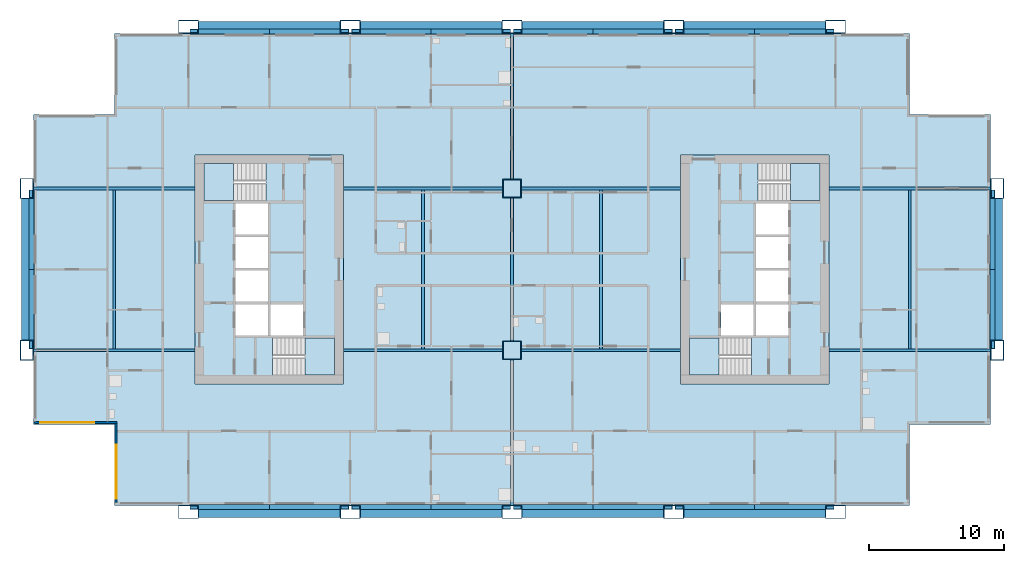
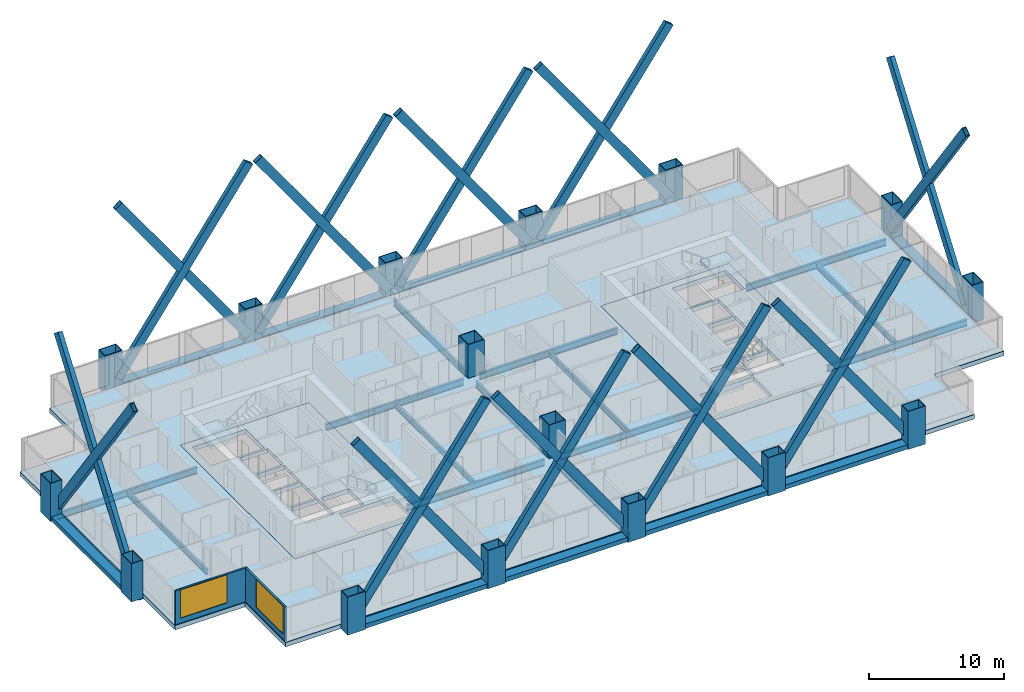
# One storey, part 1 of 11: 25 beams, 20 members, 16 columns, 7 slabs, 2 walls, 2 windows, 2 openings, 4 elements without a shape of their own.
"""IFC4 building model written with IfcOpenShell, lengths in metres."""

from ifc_helpers import new_model, si_unit, direction, frame, frame_2d, origin, origin_2d, place, context, subcontext, project, spatial, polyline, rectangle, hollow_rectangle, i_section, outline, extrude, material, layer, layer_set, material_profile, profile_set, type_object, element, fill, aggregate, save


model = new_model("IFC4")

# Units and contexts
model_context = context("Model", 3, precision=1e-05, world=origin(), true_north=direction((0.0, 1.0)))
body_context = subcontext(model_context, "Body", "Model", "MODEL_VIEW")
ifc_project = project(units=[si_unit("LENGTHUNIT", "METRE"), si_unit("AREAUNIT", "SQUARE_METRE"), si_unit("VOLUMEUNIT", "CUBIC_METRE"), si_unit("PLANEANGLEUNIT", "RADIAN"), si_unit("MASSUNIT", "GRAM", prefix="KILO")], contexts=[model_context])

# Site, building, storey
site_placement = place(None, origin())
site = spatial("IfcSite", under=ifc_project, at=site_placement, CompositionType="ELEMENT")
building_placement = place(site_placement, origin())
building = spatial("IfcBuilding", under=site, at=building_placement, Name="Kitamizu Gate Tower and Museum", CompositionType="ELEMENT")
storey_placement = place(building_placement, frame((0.0, 0.0, 96.60009765625)))
storey = spatial("IfcBuildingStorey", under=building, at=storey_placement, Name="L24", CompositionType="ELEMENT", Elevation=96.60009765625)

# Columns
ifc_material_1 = material(Name="Steel SM490A bronze coated", Category="steel")
ifc_material_profile_1 = material_profile(ifc_material_1, hollow_rectangle(XDim=1.5, YDim=1.0, WallThickness=0.06005859375, at=origin_2d()), Name="BOX 1500x1000x60")
ifc_profile_set_1 = profile_set([ifc_material_profile_1], Name="Steel SM490A bronze coated")
column_type_1 = type_object("IfcColumnType", Name="Exoskeleton column XC4 BOX 1500x1000x60", PredefinedType="COLUMN", material=ifc_profile_set_1)
for number, where, z_axis, x_axis, name in (
    (1, (0.0, 24.0, -0.400146484375), (0.0, 0.0, 1.0), (0.0, 1.0, 0.0), "Column XC4 1C L24"),
    (2, (0.0, 36.0, -0.400146484375), (0.0, 0.0, 1.0), (0.0, 1.0, 0.0), "Column XC4 1D L24"),
    (3, (12.0, 12.0, -0.400146484375), (0.0, 0.0, 1.0), (1.0, 0.0, 0.0), "Column XC4 2B L24"),
    (4, (12.0, 48.0, -0.400146484375), (0.0, 0.0, 1.0), (1.0, 0.0, 0.0), "Column XC4 2E L24"),
    (5, (24.0, 12.0, -0.400146484375), (0.0, 0.0, 1.0), (1.0, 0.0, 0.0), "Column XC4 3B L24"),
    (6, (24.0, 48.0, -0.400146484375), (0.0, 0.0, 1.0), (1.0, 0.0, 0.0), "Column XC4 3E L24"),
    (7, (36.0, 12.0, -0.400146484375), (0.0, 0.0, 1.0), (1.0, 0.0, 0.0), "Column XC4 4B L24"),
    (8, (36.0, 48.0, -0.400146484375), (0.0, 0.0, 1.0), (1.0, 0.0, 0.0), "Column XC4 4E L24"),
    (9, (48.0, 12.0, -0.400146484375), (0.0, 0.0, 1.0), (1.0, 0.0, 0.0), "Column XC4 5B L24"),
    (10, (48.0, 48.0, -0.400146484375), (0.0, 0.0, 1.0), (1.0, 0.0, 0.0), "Column XC4 5E L24"),
    (11, (60.0, 12.0, -0.400146484375), (0.0, 0.0, 1.0), (1.0, 0.0, 0.0), "Column XC4 6B L24"),
    (12, (60.0, 48.0, -0.400146484375), (0.0, 0.0, 1.0), (1.0, 0.0, 0.0), "Column XC4 6E L24"),
    (13, (72.0, 24.0, -0.400146484375), (0.0, 0.0, 1.0), (0.0, 1.0, 0.0), "Column XC4 7C L24"),
    (14, (72.0, 36.0, -0.400146484375), (0.0, 0.0, 1.0), (0.0, 1.0, 0.0), "Column XC4 7D L24"),
):
    element("IfcColumn", number, at=place(storey_placement, frame(where, z_axis=z_axis, x_axis=x_axis)), inside=storey, type_object=column_type_1, Name=name, PredefinedType="COLUMN", context=body_context, shape_type="SweptSolid", body=[
        extrude(hollow_rectangle(XDim=1.5, YDim=1.0, WallThickness=0.06005859375, at=origin_2d()), origin(), (0.0, 0.0, 1.0), 3.449951171875),
    ])
ifc_material_2 = material(Name="Steel SM490A", Category="steel")
ifc_material_profile_2 = material_profile(ifc_material_2, hollow_rectangle(XDim=1.39990234375, YDim=1.39990234375, WallThickness=0.06005859375, at=origin_2d()), Name="BOX 1400x1400x60")
ifc_profile_set_2 = profile_set([ifc_material_profile_2], Name="Steel SM490A")
column_type_2 = type_object("IfcColumnType", Name="Interior column IC3 BOX 1400x1400x60", PredefinedType="COLUMN", material=ifc_profile_set_2)
for number, where, z_axis, x_axis, name in (
    (15, (36.0, 24.0, 0.0), (0.0, 0.0, 1.0), (1.0, 0.0, 0.0), "Column IC3 4C L24"),
    (16, (36.0, 36.0, 0.0), (0.0, 0.0, 1.0), (1.0, 0.0, 0.0), "Column IC3 4D L24"),
):
    element("IfcColumn", number, at=place(storey_placement, frame(where, z_axis=z_axis, x_axis=x_axis)), inside=storey, type_object=column_type_2, Name=name, PredefinedType="COLUMN", context=body_context, shape_type="SweptSolid", body=[
        extrude(hollow_rectangle(XDim=1.39990234375, YDim=1.39990234375, WallThickness=0.06005859375, at=origin_2d()), origin(), (0.0, 0.0, 1.0), 3.0498046875),
    ])

# Members
ifc_material_3 = material(Name="Steel SM490A bronze coated", Category="steel")
ifc_material_profile_3 = material_profile(ifc_material_3, hollow_rectangle(XDim=0.3798828125, YDim=0.75, WallThickness=0.0380859375, at=origin_2d()), Name="BOX 380x750x38")
ifc_profile_set_3 = profile_set([ifc_material_profile_3], Name="Steel SM490A bronze coated")
member_type = type_object("IfcMemberType", Name="Exoskeleton brace XB4 BOX 380x750x38", PredefinedType="BRACE", material=ifc_profile_set_3)
for number, where, z_axis, x_axis, name in (
    (17, (12.39990234375, 12.360107421875, 0.599853515625), (0.581978363973, 0.0, 0.81320426946), (0.0, 1.0, 0.0), "Exoskeleton brace XB4 south 12 L24"),
    (18, (23.60009765625, 12.360107421875, 0.599853515625), (-0.581978363973, 0.0, 0.81320426946), (0.0, -1.0, 0.0), "Exoskeleton brace XB4 south 12 L24"),
    (19, (24.39990234375, 12.360107421875, 0.599853515625), (0.581978363973, 0.0, 0.81320426946), (0.0, 1.0, 0.0), "Exoskeleton brace XB4 south 24 L24"),
    (20, (35.60009765625, 12.360107421875, 0.599853515625), (-0.581978363973, 0.0, 0.81320426946), (0.0, -1.0, 0.0), "Exoskeleton brace XB4 south 24 L24"),
    (21, (36.39990234375, 12.360107421875, 0.599853515625), (0.581978363973, 0.0, 0.81320426946), (0.0, 1.0, 0.0), "Exoskeleton brace XB4 south 36 L24"),
    (22, (47.60009765625, 12.360107421875, 0.599853515625), (-0.581978363973, 0.0, 0.81320426946), (0.0, -1.0, 0.0), "Exoskeleton brace XB4 south 36 L24"),
    (23, (48.39990234375, 12.360107421875, 0.599853515625), (0.581978363973, 0.0, 0.81320426946), (0.0, 1.0, 0.0), "Exoskeleton brace XB4 south 48 L24"),
    (24, (59.60009765625, 12.360107421875, 0.599853515625), (-0.581978363973, 0.0, 0.81320426946), (0.0, -1.0, 0.0), "Exoskeleton brace XB4 south 48 L24"),
    (25, (12.39990234375, 47.639892578125, 0.599853515625), (0.581978363973, 0.0, 0.81320426946), (0.0, 1.0, 0.0), "Exoskeleton brace XB4 north 12 L24"),
    (26, (23.60009765625, 47.639892578125, 0.599853515625), (-0.581978363973, 0.0, 0.81320426946), (0.0, -1.0, 0.0), "Exoskeleton brace XB4 north 12 L24"),
    (27, (24.39990234375, 47.639892578125, 0.599853515625), (0.581978363973, 0.0, 0.81320426946), (0.0, 1.0, 0.0), "Exoskeleton brace XB4 north 24 L24"),
    (28, (35.60009765625, 47.639892578125, 0.599853515625), (-0.581978363973, 0.0, 0.81320426946), (0.0, -1.0, 0.0), "Exoskeleton brace XB4 north 24 L24"),
    (29, (36.39990234375, 47.639892578125, 0.599853515625), (0.581978363973, 0.0, 0.81320426946), (0.0, 1.0, 0.0), "Exoskeleton brace XB4 north 36 L24"),
    (30, (47.60009765625, 47.639892578125, 0.599853515625), (-0.581978363973, 0.0, 0.81320426946), (0.0, -1.0, 0.0), "Exoskeleton brace XB4 north 36 L24"),
    (31, (48.39990234375, 47.639892578125, 0.599853515625), (0.581978363973, 0.0, 0.81320426946), (0.0, 1.0, 0.0), "Exoskeleton brace XB4 north 48 L24"),
    (32, (59.60009765625, 47.639892578125, 0.599853515625), (-0.581978363973, 0.0, 0.81320426946), (0.0, -1.0, 0.0), "Exoskeleton brace XB4 north 48 L24"),
    (33, (0.360107421875, 24.39990234375, 0.599853515625), (0.0, 0.581978363973, 0.81320426946), (-1.0, 0.0, 0.0), "Exoskeleton brace XB4 west 24 L24"),
    (34, (0.360107421875, 35.60009765625, 0.599853515625), (0.0, -0.581978363973, 0.81320426946), (1.0, 0.0, 0.0), "Exoskeleton brace XB4 west 24 L24"),
    (35, (71.639892578125, 24.39990234375, 0.599853515625), (0.0, 0.581978363973, 0.81320426946), (-1.0, 0.0, 0.0), "Exoskeleton brace XB4 east 24 L24"),
    (36, (71.639892578125, 35.60009765625, 0.599853515625), (0.0, -0.581978363973, 0.81320426946), (1.0, 0.0, 0.0), "Exoskeleton brace XB4 east 24 L24"),
):
    element("IfcMember", number, at=place(storey_placement, frame(where, z_axis=z_axis, x_axis=x_axis)), inside=storey, type_object=member_type, Name=name, PredefinedType="BRACE", context=body_context, shape_type="SweptSolid", body=[
        extrude(hollow_rectangle(XDim=0.3798828125, YDim=0.75, WallThickness=0.0380859375, at=origin_2d()), origin(), (0.0, 0.0, 1.0), 19.2451171875),
    ])

# Beams
ifc_material_4 = material(Name="Steel SM490A bronze coated", Category="steel")
ifc_material_profile_4 = material_profile(ifc_material_4, hollow_rectangle(XDim=0.800048828125, YDim=0.39990234375, WallThickness=0.0400390625, at=origin_2d()), Name="BOX 800x400x40")
ifc_profile_set_4 = profile_set([ifc_material_profile_4], Name="Steel SM490A bronze coated")
beam_type_1 = type_object("IfcBeamType", Name="Exoskeleton spandrel beam SB1 BOX 800x400x40", PredefinedType="SPANDREL", material=ifc_profile_set_4)
for number, where, z_axis, x_axis, name in (
    (37, (12.75, 12.0, -0.2001953125), (1.0, 0.0, 0.0), (0.0, 1.0, 0.0), "Exoskeleton spandrel beam south 12 L24"),
    (38, (24.75, 12.0, -0.2001953125), (1.0, 0.0, 0.0), (0.0, 1.0, 0.0), "Exoskeleton spandrel beam south 24 L24"),
    (39, (36.75, 12.0, -0.2001953125), (1.0, 0.0, 0.0), (0.0, 1.0, 0.0), "Exoskeleton spandrel beam south 36 L24"),
    (40, (48.75, 12.0, -0.2001953125), (1.0, 0.0, 0.0), (0.0, 1.0, 0.0), "Exoskeleton spandrel beam south 48 L24"),
    (41, (12.75, 48.0, -0.2001953125), (1.0, 0.0, 0.0), (0.0, 1.0, 0.0), "Exoskeleton spandrel beam north 12 L24"),
    (42, (24.75, 48.0, -0.2001953125), (1.0, 0.0, 0.0), (0.0, 1.0, 0.0), "Exoskeleton spandrel beam north 24 L24"),
    (43, (36.75, 48.0, -0.2001953125), (1.0, 0.0, 0.0), (0.0, 1.0, 0.0), "Exoskeleton spandrel beam north 36 L24"),
    (44, (48.75, 48.0, -0.2001953125), (1.0, 0.0, 0.0), (0.0, 1.0, 0.0), "Exoskeleton spandrel beam north 48 L24"),
    (45, (0.0, 24.75, -0.2001953125), (0.0, 1.0, 0.0), (-1.0, 0.0, 0.0), "Exoskeleton spandrel beam west 24 L24"),
    (46, (72.0, 24.75, -0.2001953125), (0.0, 1.0, 0.0), (-1.0, 0.0, 0.0), "Exoskeleton spandrel beam east 24 L24"),
):
    element("IfcBeam", number, at=place(storey_placement, frame(where, z_axis=z_axis, x_axis=x_axis)), inside=storey, type_object=beam_type_1, Name=name, PredefinedType="SPANDREL", context=body_context, shape_type="SweptSolid", body=[
        extrude(hollow_rectangle(XDim=0.800048828125, YDim=0.39990234375, WallThickness=0.0400390625, at=origin_2d()), origin(), (0.0, 0.0, 1.0), 10.5),
    ])
ifc_material_5 = material(Name="Steel SM490A", Category="steel")
ifc_material_profile_5 = material_profile(ifc_material_5, i_section(OverallWidth=0.199951171875, OverallDepth=0.5, WebThickness=0.010009765625, FlangeThickness=0.01611328125, FilletRadius=0.02001953125, at=origin_2d()), Name="H-500x200x10x16")
ifc_profile_set_5 = profile_set([ifc_material_profile_5], Name="Steel SM490A")
beam_type_2 = type_object("IfcBeamType", Name="Floor beam FB1 H 500x200x10x16", PredefinedType="BEAM", material=ifc_profile_set_5)
for number, where, z_axis, x_axis, name in (
    (47, (6.5, 24.10009765625, -0.650146484375), (0.0, 1.0, 0.0), (-1.0, 0.0, 0.0), "Floor beam FB1 L24-1"),
    (48, (29.39990234375, 24.10009765625, -0.650146484375), (0.0, 1.0, 0.0), (-1.0, 0.0, 0.0), "Floor beam FB1 L24-2"),
    (49, (42.60009765625, 24.10009765625, -0.650146484375), (0.0, 1.0, 0.0), (-1.0, 0.0, 0.0), "Floor beam FB1 L24-3"),
    (50, (65.5, 24.10009765625, -0.650146484375), (0.0, 1.0, 0.0), (-1.0, 0.0, 0.0), "Floor beam FB1 L24-4"),
):
    element("IfcBeam", number, at=place(storey_placement, frame(where, z_axis=z_axis, x_axis=x_axis)), inside=storey, type_object=beam_type_2, Name=name, PredefinedType="BEAM", context=body_context, shape_type="SweptSolid", body=[
        extrude(i_section(OverallWidth=0.199951171875, OverallDepth=0.5, WebThickness=0.010009765625, FlangeThickness=0.01611328125, FilletRadius=0.02001953125, at=origin_2d()), origin(), (0.0, 0.0, 1.0), 11.7998046875),
    ])
ifc_material_6 = material(Name="Steel SM490A", Category="steel")
ifc_material_profile_6 = material_profile(ifc_material_6, i_section(OverallWidth=0.199951171875, OverallDepth=0.60009765625, WebThickness=0.010986328125, FlangeThickness=0.01708984375, FilletRadius=0.02197265625, at=origin_2d()), Name="H-600x200x11x17")
ifc_profile_set_6 = profile_set([ifc_material_profile_6], Name="Steel SM490A")
beam_type_3 = type_object("IfcBeamType", Name="Floor girder FG1 H 600x200x11x17", PredefinedType="BEAM", material=ifc_profile_set_6)
beam_1_placement = place(storey_placement, frame((36.0, 12.5, -0.7001953125), z_axis=(0.0, 1.0, 0.0), x_axis=(-1.0, 0.0, 0.0)))
element("IfcBeam", 51, at=beam_1_placement, inside=storey, type_object=beam_type_3, Name="Floor girder FG1 x36 L24", PredefinedType="BEAM", context=body_context, shape_type="SweptSolid", body=[
    extrude(i_section(OverallWidth=0.199951171875, OverallDepth=0.60009765625, WebThickness=0.010986328125, FlangeThickness=0.01708984375, FilletRadius=0.02197265625, at=origin_2d()), origin(), (0.0, 0.0, 1.0), 10.800048828125),
])
beam_2_placement = place(storey_placement, frame((36.0, 24.699951171875, -0.7001953125), z_axis=(0.0, 1.0, 0.0), x_axis=(-1.0, 0.0, 0.0)))
element("IfcBeam", 52, at=beam_2_placement, inside=storey, type_object=beam_type_3, Name="Floor girder FG1 x36 L24", PredefinedType="BEAM", context=body_context, shape_type="SweptSolid", body=[
    extrude(i_section(OverallWidth=0.199951171875, OverallDepth=0.60009765625, WebThickness=0.010986328125, FlangeThickness=0.01708984375, FilletRadius=0.02197265625, at=origin_2d()), origin(), (0.0, 0.0, 1.0), 10.60009765625),
])
beam_3_placement = place(storey_placement, frame((36.0, 36.699951171875, -0.7001953125), z_axis=(0.0, 1.0, 0.0), x_axis=(-1.0, 0.0, 0.0)))
element("IfcBeam", 53, at=beam_3_placement, inside=storey, type_object=beam_type_3, Name="Floor girder FG1 x36 L24", PredefinedType="BEAM", context=body_context, shape_type="SweptSolid", body=[
    extrude(i_section(OverallWidth=0.199951171875, OverallDepth=0.60009765625, WebThickness=0.010986328125, FlangeThickness=0.01708984375, FilletRadius=0.02197265625, at=origin_2d()), origin(), (0.0, 0.0, 1.0), 10.800048828125),
])
beam_4_placement = place(storey_placement, frame((0.5, 24.0, -0.7001953125), z_axis=(1.0, 0.0, 0.0), x_axis=(0.0, 1.0, 0.0)))
element("IfcBeam", 54, at=beam_4_placement, inside=storey, type_object=beam_type_3, Name="Floor girder FG1 y24 L24", PredefinedType="BEAM", context=body_context, shape_type="SweptSolid", body=[
    extrude(i_section(OverallWidth=0.199951171875, OverallDepth=0.60009765625, WebThickness=0.010986328125, FlangeThickness=0.01708984375, FilletRadius=0.02197265625, at=origin_2d()), origin(), (0.0, 0.0, 1.0), 12.0),
])
for number, where, z_axis, x_axis, name in (
    (55, (23.5, 24.0, -0.7001953125), (1.0, 0.0, 0.0), (0.0, 1.0, 0.0), "Floor girder FG1 y24 L24"),
    (56, (36.699951171875, 24.0, -0.7001953125), (1.0, 0.0, 0.0), (0.0, 1.0, 0.0), "Floor girder FG1 y24 L24"),
):
    element("IfcBeam", number, at=place(storey_placement, frame(where, z_axis=z_axis, x_axis=x_axis)), inside=storey, type_object=beam_type_3, Name=name, PredefinedType="BEAM", context=body_context, shape_type="SweptSolid", body=[
        extrude(i_section(OverallWidth=0.199951171875, OverallDepth=0.60009765625, WebThickness=0.010986328125, FlangeThickness=0.01708984375, FilletRadius=0.02197265625, at=origin_2d()), origin(), (0.0, 0.0, 1.0), 11.800048828125),
    ])
for number, where, z_axis, x_axis, name in (
    (57, (59.5, 24.0, -0.7001953125), (1.0, 0.0, 0.0), (0.0, 1.0, 0.0), "Floor girder FG1 y24 L24"),
    (58, (0.5, 36.0, -0.7001953125), (1.0, 0.0, 0.0), (0.0, 1.0, 0.0), "Floor girder FG1 y36 L24"),
):
    element("IfcBeam", number, at=place(storey_placement, frame(where, z_axis=z_axis, x_axis=x_axis)), inside=storey, type_object=beam_type_3, Name=name, PredefinedType="BEAM", context=body_context, shape_type="SweptSolid", body=[
        extrude(i_section(OverallWidth=0.199951171875, OverallDepth=0.60009765625, WebThickness=0.010986328125, FlangeThickness=0.01708984375, FilletRadius=0.02197265625, at=origin_2d()), origin(), (0.0, 0.0, 1.0), 12.0),
    ])
for number, where, z_axis, x_axis, name in (
    (59, (23.5, 36.0, -0.7001953125), (1.0, 0.0, 0.0), (0.0, 1.0, 0.0), "Floor girder FG1 y36 L24"),
    (60, (36.699951171875, 36.0, -0.7001953125), (1.0, 0.0, 0.0), (0.0, 1.0, 0.0), "Floor girder FG1 y36 L24"),
):
    element("IfcBeam", number, at=place(storey_placement, frame(where, z_axis=z_axis, x_axis=x_axis)), inside=storey, type_object=beam_type_3, Name=name, PredefinedType="BEAM", context=body_context, shape_type="SweptSolid", body=[
        extrude(i_section(OverallWidth=0.199951171875, OverallDepth=0.60009765625, WebThickness=0.010986328125, FlangeThickness=0.01708984375, FilletRadius=0.02197265625, at=origin_2d()), origin(), (0.0, 0.0, 1.0), 11.800048828125),
    ])
beam_5_placement = place(storey_placement, frame((59.5, 36.0, -0.7001953125), z_axis=(1.0, 0.0, 0.0), x_axis=(0.0, 1.0, 0.0)))
element("IfcBeam", 61, at=beam_5_placement, inside=storey, type_object=beam_type_3, Name="Floor girder FG1 y36 L24", PredefinedType="BEAM", context=body_context, shape_type="SweptSolid", body=[
    extrude(i_section(OverallWidth=0.199951171875, OverallDepth=0.60009765625, WebThickness=0.010986328125, FlangeThickness=0.01708984375, FilletRadius=0.02197265625, at=origin_2d()), origin(), (0.0, 0.0, 1.0), 12.0),
])

# Slabs
ifc_material_7 = material(Name="Concrete Fc36", Category="concrete")
ifc_layer_1 = layer(ifc_material_7, 0.39990234375)
ifc_layer_set_1 = layer_set([ifc_layer_1], Name="Concrete Fc36")
slab_type_1 = type_object("IfcSlabType", Name="Core floor slab 400", PredefinedType="FLOOR", material=ifc_layer_set_1)
slab_1_placement = place(storey_placement, frame((0.0, 0.0, -0.400146484375)))
element("IfcSlab", 62, at=slab_1_placement, inside=storey, type_object=slab_type_1, Name="Core floor slab W", PredefinedType="FLOOR", context=body_context, shape_type="SweptSolid", body=[
    extrude(outline(polyline([(12.5, 21.5), (23.5, 21.5), (23.5, 38.5), (12.5, 38.5), (12.5, 21.5)]), holes=[polyline([(15.5, 25.10009765625), (17.89990234375, 25.10009765625), (17.89990234375, 27.39990234375), (15.5, 27.39990234375), (15.5, 25.10009765625)]), polyline([(15.5, 27.60009765625), (17.89990234375, 27.60009765625), (17.89990234375, 29.89990234375), (15.5, 29.89990234375), (15.5, 27.60009765625)]), polyline([(15.5, 30.10009765625), (17.89990234375, 30.10009765625), (17.89990234375, 32.39990234375), (15.5, 32.39990234375), (15.5, 30.10009765625)]), polyline([(15.5, 32.60009765625), (17.89990234375, 32.60009765625), (17.89990234375, 34.89990234375), (15.5, 34.89990234375), (15.5, 32.60009765625)]), polyline([(18.10009765625, 25.10009765625), (20.5, 25.10009765625), (20.5, 27.39990234375), (18.10009765625, 27.39990234375), (18.10009765625, 25.10009765625)]), polyline([(18.25048828125, 22.14990234375), (22.85009765625, 22.14990234375), (22.85009765625, 24.89990234375), (18.25048828125, 24.89990234375), (18.25048828125, 22.14990234375)]), polyline([(13.14990234375, 35.10009765625), (17.74951171875, 35.10009765625), (17.74951171875, 37.85009765625), (13.14990234375, 37.85009765625), (13.14990234375, 35.10009765625)])]), origin(), (0.0, 0.0, 1.0), 0.400146484375),
])
slab_2_placement = place(storey_placement, frame((0.0, 0.0, -0.400146484375)))
element("IfcSlab", 63, at=slab_2_placement, inside=storey, type_object=slab_type_1, Name="Core floor slab E", PredefinedType="FLOOR", context=body_context, shape_type="SweptSolid", body=[
    extrude(outline(polyline([(48.5, 21.5), (59.5, 21.5), (59.5, 38.5), (48.5, 38.5), (48.5, 21.5)]), holes=[polyline([(54.10009765625, 25.10009765625), (56.5, 25.10009765625), (56.5, 27.39990234375), (54.10009765625, 27.39990234375), (54.10009765625, 25.10009765625)]), polyline([(54.10009765625, 27.60009765625), (56.5, 27.60009765625), (56.5, 29.89990234375), (54.10009765625, 29.89990234375), (54.10009765625, 27.60009765625)]), polyline([(54.10009765625, 30.10009765625), (56.5, 30.10009765625), (56.5, 32.39990234375), (54.10009765625, 32.39990234375), (54.10009765625, 30.10009765625)]), polyline([(54.10009765625, 32.60009765625), (56.5, 32.60009765625), (56.5, 34.89990234375), (54.10009765625, 34.89990234375), (54.10009765625, 32.60009765625)]), polyline([(51.5, 25.10009765625), (53.89990234375, 25.10009765625), (53.89990234375, 27.39990234375), (51.5, 27.39990234375), (51.5, 25.10009765625)]), polyline([(49.14990234375, 22.14990234375), (53.74951171875, 22.14990234375), (53.74951171875, 24.89990234375), (49.14990234375, 24.89990234375), (49.14990234375, 22.14990234375)]), polyline([(54.25048828125, 35.10009765625), (58.85009765625, 35.10009765625), (58.85009765625, 37.85009765625), (54.25048828125, 37.85009765625), (54.25048828125, 35.10009765625)])]), origin(), (0.0, 0.0, 1.0), 0.400146484375),
])
ifc_material_8 = material(Name="Concrete Fc36", Category="concrete")
ifc_layer_2 = layer(ifc_material_8, 0.39990234375)
ifc_layer_set_2 = layer_set([ifc_layer_2], Name="Concrete Fc36")
slab_type_2 = type_object("IfcSlabType", Name="Post tensioned flat slab 400", PredefinedType="FLOOR", material=ifc_layer_set_2)
slab_3_placement = place(storey_placement, frame((0.0, 0.0, -0.400146484375)))
element("IfcSlab", 64, at=slab_3_placement, inside=storey, type_object=slab_type_2, Name="Floor slab L24-1", PredefinedType="FLOOR", context=body_context, shape_type="SweptSolid", body=[
    extrude(outline(polyline([(0.5, 18.5), (0.5, 41.5), (6.5, 41.5), (6.5, 47.5), (65.5, 47.5), (65.5, 41.5), (71.5, 41.5), (71.5, 18.5), (65.5, 18.5), (65.5, 12.5), (6.5, 12.5), (6.5, 18.5), (0.5, 18.5)]), holes=[polyline([(59.5, 38.5), (48.5, 38.5), (48.5, 21.5), (59.5, 21.5), (59.5, 38.5)]), polyline([(12.5, 38.5), (12.5, 21.5), (23.5, 21.5), (23.5, 38.5), (12.5, 38.5)])]), origin(), (0.0, 0.0, 1.0), 0.400146484375),
])

# Stair, slab
ifc_material_9 = material(Name="Concrete Fc42", Category="concrete")
stair_type = type_object("IfcStairType", Name="Exit stair 1275 wide 192 rise 300 going", PredefinedType="HALF_TURN_STAIR", material=ifc_material_9)
stair_1_placement = place(storey_placement, origin())
stair_1 = element("IfcStair", 65, at=stair_1_placement, inside=storey, type_object=stair_type, Name="Exit stair ST1", PredefinedType="HALF_TURN_STAIR")
ifc_material_10 = material(Name="Concrete Fc42", Category="concrete")
ifc_layer_3 = layer(ifc_material_10, 0.300048828125)
ifc_layer_set_3 = layer_set([ifc_layer_3], Name="Concrete Fc42")
slab_type_3 = type_object("IfcSlabType", Name="Stair landing 300", PredefinedType="LANDING", material=ifc_layer_set_3)
slab_4_placement = place(storey_placement, frame((0.0, 0.0, 1.4248046875)))
slab_4 = element("IfcSlab", 66, at=slab_4_placement, type_object=slab_type_3, Name="ST1 landing 1", PredefinedType="LANDING", context=body_context, shape_type="SweptSolid", body=[
    extrude(outline(polyline([(20.64990234375, 22.14990234375), (22.85009765625, 22.14990234375), (22.85009765625, 24.89990234375), (20.64990234375, 24.89990234375), (20.64990234375, 22.14990234375)])), origin(), (0.0, 0.0, 1.0), 0.300048828125),
])
aggregate(stair_1, [slab_4])

stair_2_placement = place(storey_placement, origin())
stair_2 = element("IfcStair", 67, at=stair_2_placement, inside=storey, type_object=stair_type, Name="Exit stair ST2", PredefinedType="HALF_TURN_STAIR")
slab_5_placement = place(storey_placement, frame((0.0, 0.0, 1.4248046875)))
slab_5 = element("IfcSlab", 68, at=slab_5_placement, type_object=slab_type_3, Name="ST2 landing 1", PredefinedType="LANDING", context=body_context, shape_type="SweptSolid", body=[
    extrude(outline(polyline([(13.14990234375, 35.10009765625), (15.35009765625, 35.10009765625), (15.35009765625, 37.85009765625), (13.14990234375, 37.85009765625), (13.14990234375, 35.10009765625)])), origin(), (0.0, 0.0, 1.0), 0.300048828125),
])
aggregate(stair_2, [slab_5])

stair_3_placement = place(storey_placement, origin())
stair_3 = element("IfcStair", 69, at=stair_3_placement, inside=storey, type_object=stair_type, Name="Exit stair ST3", PredefinedType="HALF_TURN_STAIR")
slab_6_placement = place(storey_placement, frame((0.0, 0.0, 1.4248046875)))
slab_6 = element("IfcSlab", 70, at=slab_6_placement, type_object=slab_type_3, Name="ST3 landing 1", PredefinedType="LANDING", context=body_context, shape_type="SweptSolid", body=[
    extrude(outline(polyline([(49.14990234375, 22.14990234375), (51.35009765625, 22.14990234375), (51.35009765625, 24.89990234375), (49.14990234375, 24.89990234375), (49.14990234375, 22.14990234375)])), origin(), (0.0, 0.0, 1.0), 0.300048828125),
])
aggregate(stair_3, [slab_6])

stair_4_placement = place(storey_placement, origin())
stair_4 = element("IfcStair", 71, at=stair_4_placement, inside=storey, type_object=stair_type, Name="Exit stair ST4", PredefinedType="HALF_TURN_STAIR")
slab_7_placement = place(storey_placement, frame((0.0, 0.0, 1.4248046875)))
slab_7 = element("IfcSlab", 72, at=slab_7_placement, type_object=slab_type_3, Name="ST4 landing 1", PredefinedType="LANDING", context=body_context, shape_type="SweptSolid", body=[
    extrude(outline(polyline([(56.64990234375, 35.10009765625), (58.85009765625, 35.10009765625), (58.85009765625, 37.85009765625), (56.64990234375, 37.85009765625), (56.64990234375, 35.10009765625)])), origin(), (0.0, 0.0, 1.0), 0.300048828125),
])
aggregate(stair_4, [slab_7])

# Wall, opening, window
ifc_material_11 = material(Name="Bronze anodised aluminium frame with insulated spandrel and tinted glass", Category="aluminium")
ifc_layer_4 = layer(ifc_material_11, 0.14990234375)
ifc_layer_set_4 = layer_set([ifc_layer_4], Name="Bronze anodised aluminium frame with insulated spandrel and tinted glass")
wall_type = type_object("IfcWallType", Name="WINDOW WALL 150 BRONZE FRAME EI 30", PredefinedType="ELEMENTEDWALL", material=ifc_layer_set_4)
wall_1_placement = place(storey_placement, frame((0.56005859375, 18.635009765625, 0.0), z_axis=(0.0, 0.0, 1.0), x_axis=(1.0, 0.0, 0.0)))
wall_1 = element("IfcWall", 73, at=wall_1_placement, inside=storey, type_object=wall_type, Name="Window wall south L24", PredefinedType="ELEMENTEDWALL", context=body_context, shape_type="SweptSolid", body=[
    extrude(rectangle(XDim=6.14990234375, YDim=0.14990234375, at=frame_2d((3.074951171875, 0.0))), origin(), (0.0, 0.0, 1.0), 3.0498046875),
])
opening_1_placement = place(wall_1_placement, frame((0.43994140625, 0.0, 0.449951171875)))
opening_1 = element("IfcOpeningElement", 74, at=opening_1_placement, cuts=wall_1, Name="Opening W16", PredefinedType="OPENING", context=body_context, shape_type="SweptSolid", body=[
    extrude(rectangle(XDim=4.0, YDim=2.550048828125, at=frame_2d((2.0, 1.27490234375))), frame((0.0, 0.0849609375, 0.0), z_axis=(0.0, -1.0, 0.0), x_axis=(1.0, 0.0, 0.0)), (0.0, 0.0, 1.0), 0.169921875),
])
ifc_material_12 = material(Name="Bronze anodised aluminium frame, tinted triple glazing", Category="aluminium")
window_type = type_object("IfcWindowType", Name="WINDOW 4000 x 2550 SILL 450", PartitioningType="SINGLE_PANEL", PredefinedType="WINDOW", material=ifc_material_12)
window_1_placement = place(opening_1_placement, origin())
window_1 = element("IfcWindow", 75, at=window_1_placement, inside=storey, type_object=window_type, Name="Window W16 L24", OverallHeight=2.550048828125, OverallWidth=4.0, PartitioningType="SINGLE_PANEL", PredefinedType="WINDOW", context=body_context, shape_type="SweptSolid", body=[
    extrude(rectangle(XDim=4.0, YDim=2.550048828125, at=frame_2d((2.0, 1.27490234375))), frame((0.0, 0.030029296875, 0.0), z_axis=(0.0, -1.0, 0.0), x_axis=(1.0, 0.0, 0.0)), (0.0, 0.0, 1.0), 0.06005859375),
])
fill(opening_1, window_1)

wall_2_placement = place(storey_placement, frame((6.635009765625, 12.7099609375, 0.0), z_axis=(0.0, 0.0, 1.0), x_axis=(0.0, 1.0, 0.0)))
wall_2 = element("IfcWall", 76, at=wall_2_placement, inside=storey, type_object=wall_type, Name="Window wall west L24", PredefinedType="ELEMENTEDWALL", context=body_context, shape_type="SweptSolid", body=[
    extrude(rectangle(XDim=5.85009765625, YDim=0.14990234375, at=frame_2d((2.925048828125, 0.0))), origin(), (0.0, 0.0, 1.0), 3.0498046875),
])
opening_2_placement = place(wall_2_placement, frame((0.2900390625, 0.0, 0.449951171875)))
opening_2 = element("IfcOpeningElement", 77, at=opening_2_placement, cuts=wall_2, Name="Opening W16", PredefinedType="OPENING", context=body_context, shape_type="SweptSolid", body=[
    extrude(rectangle(XDim=4.0, YDim=2.550048828125, at=frame_2d((2.0, 1.27490234375))), frame((0.0, 0.0849609375, 0.0), z_axis=(0.0, -1.0, 0.0), x_axis=(1.0, 0.0, 0.0)), (0.0, 0.0, 1.0), 0.169921875),
])
window_2_placement = place(opening_2_placement, origin())
window_2 = element("IfcWindow", 78, at=window_2_placement, inside=storey, type_object=window_type, Name="Window W16 L24", OverallHeight=2.550048828125, OverallWidth=4.0, PartitioningType="SINGLE_PANEL", PredefinedType="WINDOW", context=body_context, shape_type="SweptSolid", body=[
    extrude(rectangle(XDim=4.0, YDim=2.550048828125, at=frame_2d((2.0, 1.27490234375))), frame((0.0, 0.030029296875, 0.0), z_axis=(0.0, -1.0, 0.0), x_axis=(1.0, 0.0, 0.0)), (0.0, 0.0, 1.0), 0.06005859375),
])
fill(opening_2, window_2)

save(model, "model.ifc")
